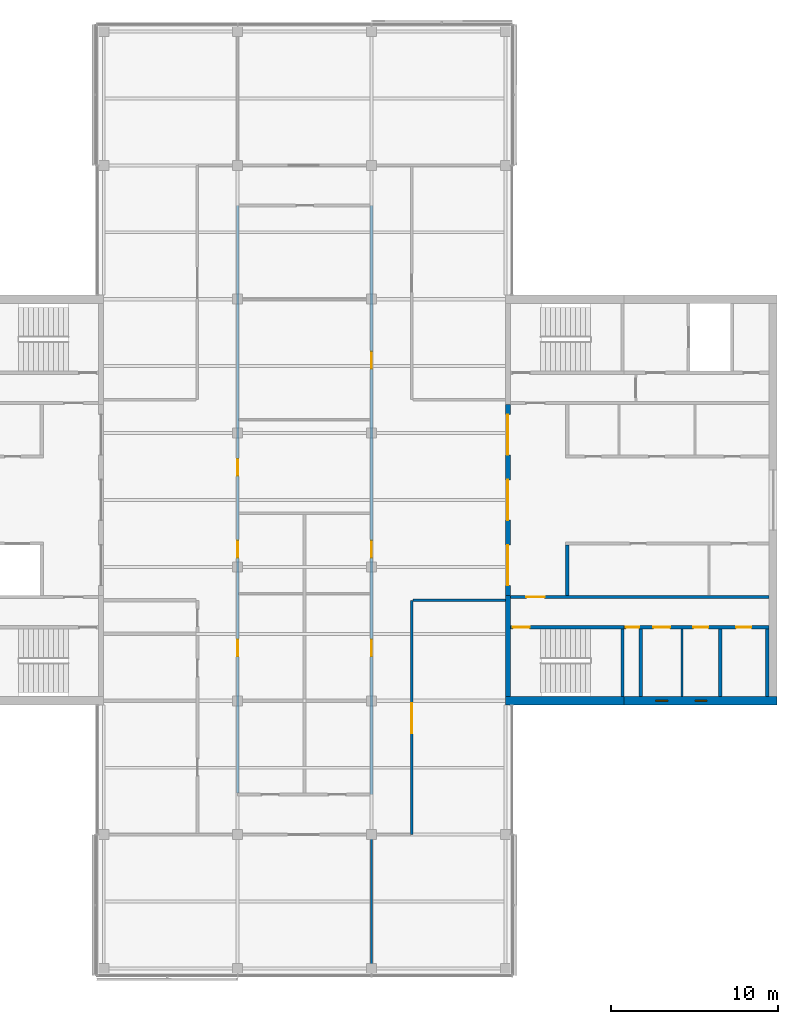
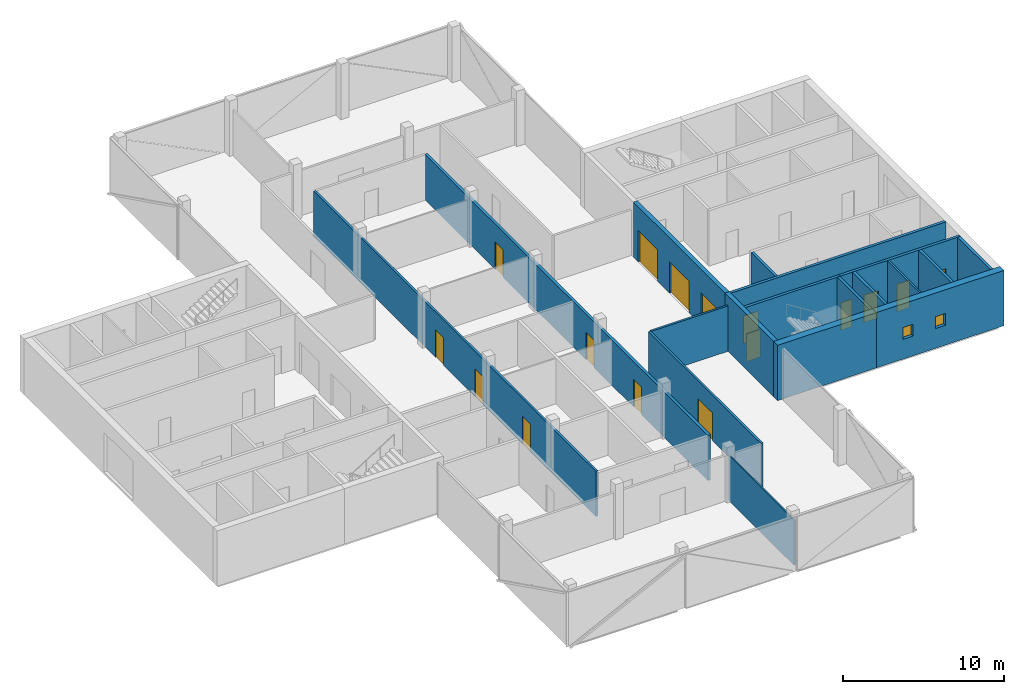
# One storey, part 10 of 15: 18 walls, 16 doors, 2 windows, 18 openings.
"""IFC4 building model written with IfcOpenShell, lengths in metres."""

from ifc_helpers import new_model, si_unit, direction, frame, frame_2d, origin, place, context, subcontext, project, spatial, rectangle, extrude, material, layer, layer_set, constituent, constituent_set, type_object, element, fill, save


model = new_model("IFC4")

# Units and contexts
model_context = context("Model", 3, precision=1e-05, world=origin(), true_north=direction((0.0, 1.0)))
body_context = subcontext(model_context, "Body", "Model", "MODEL_VIEW")
ifc_project = project(units=[si_unit("LENGTHUNIT", "METRE"), si_unit("AREAUNIT", "SQUARE_METRE"), si_unit("VOLUMEUNIT", "CUBIC_METRE"), si_unit("PLANEANGLEUNIT", "RADIAN"), si_unit("MASSUNIT", "GRAM", prefix="KILO")], contexts=[model_context])

# Site, building, storey
site_placement = place(None, origin())
site = spatial("IfcSite", under=ifc_project, at=site_placement, CompositionType="ELEMENT")
building_placement = place(site_placement, origin())
building = spatial("IfcBuilding", under=site, at=building_placement, Name="Crosswind Convention Tower", CompositionType="ELEMENT")
storey_placement = place(building_placement, frame((0.0, 0.0, 315.5)))
storey = spatial("IfcBuildingStorey", under=building, at=storey_placement, Name="L68", CompositionType="ELEMENT", Elevation=315.5)

# Wall
ifc_material_1 = material(Name="Concrete blockwork", Category="masonry")
ifc_layer_1 = layer(ifc_material_1, 0.199951171875)
ifc_layer_set_1 = layer_set([ifc_layer_1], Name="Blockwork partition wall 200")
wall_type_1 = type_object("IfcWallType", Name="Blockwork partition wall 200", PredefinedType="PARTITIONING", material=ifc_layer_set_1)
wall_1_placement = place(storey_placement, frame((145.10009765625, 88.25, 0.0), z_axis=(0.0, 0.0, 1.0), x_axis=(0.0, 1.0, 0.0)))
element("IfcWall", 1, at=wall_1_placement, inside=storey, type_object=wall_type_1, Name="Wall MRSE E L68", PredefinedType="PARTITIONING", context=body_context, shape_type="SweptSolid", body=[
    extrude(rectangle(XDim=4.050048828125, YDim=0.199951171875, at=frame_2d((2.02490234375, 0.0))), origin(), (0.0, 0.0, 1.0), 4.199951171875),
])

# Wall, openings, doors
ifc_layer_2 = layer(ifc_material_1, 0.199951171875)
ifc_layer_set_2 = layer_set([ifc_layer_2], Name="COMPARTMENT WALL 200 BLOCKWORK")
wall_type_2 = type_object("IfcWallType", Name="COMPARTMENT WALL 200 BLOCKWORK", PredefinedType="SOLIDWALL", material=ifc_layer_set_2)
wall_2_placement = place(storey_placement, frame((129.0, 82.39990234375, 0.0), z_axis=(0.0, 0.0, 1.0), x_axis=(0.0, 1.0, 0.0)))
wall_2 = element("IfcWall", 2, at=wall_2_placement, inside=storey, type_object=wall_type_2, Name="Compartment wall WT42", PredefinedType="SOLIDWALL", context=body_context, shape_type="SweptSolid", body=[
    extrude(rectangle(XDim=35.2001953125, YDim=0.199951171875, at=frame_2d((17.60009765625, 0.0))), origin(), (0.0, 0.0, 1.0), 3.44287109375),
])
opening_1_placement = place(wall_2_placement, frame((8.25, 0.0, 0.0)))
opening_1 = element("IfcOpeningElement", 3, at=opening_1_placement, cuts=wall_2, Name="Opening L68-61", PredefinedType="OPENING", context=body_context, shape_type="SweptSolid", body=[
    extrude(rectangle(XDim=1.0, YDim=2.10009765625, at=frame_2d((0.5, 1.050048828125))), frame((0.0, 0.10986328125, 0.0), z_axis=(0.0, -1.0, 0.0), x_axis=(1.0, 0.0, 0.0)), (0.0, 0.0, 1.0), 0.219970703125),
])
opening_2_placement = place(wall_2_placement, frame((14.14990234375, 0.0, 0.0)))
opening_2 = element("IfcOpeningElement", 4, at=opening_2_placement, cuts=wall_2, Name="Opening L68-63", PredefinedType="OPENING", context=body_context, shape_type="SweptSolid", body=[
    extrude(rectangle(XDim=1.0, YDim=2.10009765625, at=frame_2d((0.5, 1.050048828125))), frame((0.0, 0.10986328125, 0.0), z_axis=(0.0, -1.0, 0.0), x_axis=(1.0, 0.0, 0.0)), (0.0, 0.0, 1.0), 0.219970703125),
])
opening_3_placement = place(wall_2_placement, frame((25.449951171875, 0.0, 0.0)))
opening_3 = element("IfcOpeningElement", 5, at=opening_3_placement, cuts=wall_2, Name="Opening L68-65", PredefinedType="OPENING", context=body_context, shape_type="SweptSolid", body=[
    extrude(rectangle(XDim=1.0, YDim=2.10009765625, at=frame_2d((0.5, 1.050048828125))), frame((0.0, 0.10986328125, 0.0), z_axis=(0.0, -1.0, 0.0), x_axis=(1.0, 0.0, 0.0)), (0.0, 0.0, 1.0), 0.219970703125),
])
ifc_material_2 = material(Name="Timber fire door", Category="wood")
door_type_1 = type_object("IfcDoorType", Name="TENANCY ENTRANCE DOOR 1000X2100 FD30S", OperationType="NOTDEFINED", PredefinedType="DOOR", material=ifc_material_2)
door_1_placement = place(opening_1_placement, origin())
door_1 = element("IfcDoor", 6, at=door_1_placement, inside=storey, type_object=door_type_1, Name="Door L68-61", ObjectType="D41", OperationType="SINGLE_SWING_LEFT", OverallHeight=2.10009765625, OverallWidth=1.0, PredefinedType="DOOR", context=body_context, shape_type="SweptSolid", body=[
    extrude(rectangle(XDim=1.0, YDim=2.10009765625, at=frame_2d((0.5, 1.050048828125))), frame((0.0, 0.02490234375, 0.0), z_axis=(0.0, -1.0, 0.0), x_axis=(1.0, 0.0, 0.0)), (0.0, 0.0, 1.0), 0.050048828125),
])
fill(opening_1, door_1)
door_2_placement = place(opening_2_placement, origin())
door_2 = element("IfcDoor", 7, at=door_2_placement, inside=storey, type_object=door_type_1, Name="Door L68-63", ObjectType="D41", OperationType="SINGLE_SWING_LEFT", OverallHeight=2.10009765625, OverallWidth=1.0, PredefinedType="DOOR", context=body_context, shape_type="SweptSolid", body=[
    extrude(rectangle(XDim=1.0, YDim=2.10009765625, at=frame_2d((0.5, 1.050048828125))), frame((0.0, 0.02490234375, 0.0), z_axis=(0.0, -1.0, 0.0), x_axis=(1.0, 0.0, 0.0)), (0.0, 0.0, 1.0), 0.050048828125),
])
fill(opening_2, door_2)
door_3_placement = place(opening_3_placement, origin())
door_3 = element("IfcDoor", 8, at=door_3_placement, inside=storey, type_object=door_type_1, Name="Door L68-65", ObjectType="D41", OperationType="SINGLE_SWING_RIGHT", OverallHeight=2.10009765625, OverallWidth=1.0, PredefinedType="DOOR", context=body_context, shape_type="SweptSolid", body=[
    extrude(rectangle(XDim=1.0, YDim=2.10009765625, at=frame_2d((0.5, 1.050048828125))), frame((0.0, 0.02490234375, 0.0), z_axis=(0.0, -1.0, 0.0), x_axis=(1.0, 0.0, 0.0)), (0.0, 0.0, 1.0), 0.050048828125),
])
fill(opening_3, door_3)

ifc_material_3 = material(Name="Concrete C50/60", Category="concrete")
ifc_layer_3 = layer(ifc_material_3, 0.300048828125)
ifc_layer_set_3 = layer_set([ifc_layer_3], Name="Concrete C50/60")
wall_type_3 = type_object("IfcWallType", Name="Concrete inner core wall 300", PredefinedType="SHEAR", material=ifc_layer_set_3)
wall_3_placement = place(storey_placement, frame((137.14990234375, 94.300048828125, 0.0), z_axis=(0.0, 0.0, 1.0), x_axis=(0.0, 1.0, 0.0)))
wall_3 = element("IfcWall", 9, at=wall_3_placement, inside=storey, type_object=wall_type_3, Name="Wall SCR E L68", PredefinedType="SHEAR", context=body_context, shape_type="SweptSolid", body=[
    extrude(rectangle(XDim=11.39990234375, YDim=0.300048828125, at=frame_2d((5.699951171875, 0.0))), origin(), (0.0, 0.0, 1.0), 4.199951171875),
])
opening_4_placement = place(wall_3_placement, frame((0.60009765625, 0.0, 0.0)))
opening_4 = element("IfcOpeningElement", 10, at=opening_4_placement, cuts=wall_3, Name="Opening D100", PredefinedType="OPENING", context=body_context, shape_type="SweptSolid", body=[
    extrude(rectangle(XDim=2.39990234375, YDim=2.39990234375, at=frame_2d((1.199951171875, 1.199951171875))), frame((0.0, 0.159912109375, 0.0), z_axis=(0.0, -1.0, 0.0), x_axis=(1.0, 0.0, 0.0)), (0.0, 0.0, 1.0), 0.320068359375),
])
opening_5_placement = place(wall_3_placement, frame((4.5, 0.0, 0.0)))
opening_5 = element("IfcOpeningElement", 11, at=opening_5_placement, cuts=wall_3, Name="Opening D100", PredefinedType="OPENING", context=body_context, shape_type="SweptSolid", body=[
    extrude(rectangle(XDim=2.39990234375, YDim=2.39990234375, at=frame_2d((1.199951171875, 1.199951171875))), frame((0.0, 0.159912109375, 0.0), z_axis=(0.0, -1.0, 0.0), x_axis=(1.0, 0.0, 0.0)), (0.0, 0.0, 1.0), 0.320068359375),
])
opening_6_placement = place(wall_3_placement, frame((8.39990234375, 0.0, 0.0)))
opening_6 = element("IfcOpeningElement", 12, at=opening_6_placement, cuts=wall_3, Name="Opening D100", PredefinedType="OPENING", context=body_context, shape_type="SweptSolid", body=[
    extrude(rectangle(XDim=2.39990234375, YDim=2.39990234375, at=frame_2d((1.199951171875, 1.199951171875))), frame((0.0, 0.159912109375, 0.0), z_axis=(0.0, -1.0, 0.0), x_axis=(1.0, 0.0, 0.0)), (0.0, 0.0, 1.0), 0.320068359375),
])
ifc_material_4 = material(Name="Steel fire door with glazed vision panels", Category="steel")
door_type_2 = type_object("IfcDoorType", Name="Fire-rated double door 2400x2400", OperationType="DOUBLE_DOOR_SINGLE_SWING", PredefinedType="DOOR", material=ifc_material_4)
door_4_placement = place(opening_4_placement, origin())
door_4 = element("IfcDoor", 13, at=door_4_placement, inside=storey, type_object=door_type_2, Name="Lobby door 1 L68", ObjectType="D100", OperationType="DOUBLE_DOOR_SINGLE_SWING", OverallHeight=2.39990234375, OverallWidth=2.39990234375, PredefinedType="DOOR", context=body_context, shape_type="SweptSolid", body=[
    extrude(rectangle(XDim=2.39990234375, YDim=2.39990234375, at=frame_2d((1.199951171875, 1.199951171875))), frame((0.0, 0.02490234375, 0.0), z_axis=(0.0, -1.0, 0.0), x_axis=(1.0, 0.0, 0.0)), (0.0, 0.0, 1.0), 0.050048828125),
])
fill(opening_4, door_4)
door_5_placement = place(opening_5_placement, origin())
door_5 = element("IfcDoor", 14, at=door_5_placement, inside=storey, type_object=door_type_2, Name="Lobby door 2 L68", ObjectType="D100", OperationType="DOUBLE_DOOR_SINGLE_SWING", OverallHeight=2.39990234375, OverallWidth=2.39990234375, PredefinedType="DOOR", context=body_context, shape_type="SweptSolid", body=[
    extrude(rectangle(XDim=2.39990234375, YDim=2.39990234375, at=frame_2d((1.199951171875, 1.199951171875))), frame((0.0, 0.02490234375, 0.0), z_axis=(0.0, -1.0, 0.0), x_axis=(1.0, 0.0, 0.0)), (0.0, 0.0, 1.0), 0.050048828125),
])
fill(opening_5, door_5)
door_6_placement = place(opening_6_placement, origin())
door_6 = element("IfcDoor", 15, at=door_6_placement, inside=storey, type_object=door_type_2, Name="Lobby door 3 L68", ObjectType="D100", OperationType="DOUBLE_DOOR_SINGLE_SWING", OverallHeight=2.39990234375, OverallWidth=2.39990234375, PredefinedType="DOOR", context=body_context, shape_type="SweptSolid", body=[
    extrude(rectangle(XDim=2.39990234375, YDim=2.39990234375, at=frame_2d((1.199951171875, 1.199951171875))), frame((0.0, 0.02490234375, 0.0), z_axis=(0.0, -1.0, 0.0), x_axis=(1.0, 0.0, 0.0)), (0.0, 0.0, 1.0), 0.050048828125),
])
fill(opening_6, door_6)

# Walls
wall_4_placement = place(storey_placement, frame((137.14990234375, 88.25, 0.0), z_axis=(0.0, 0.0, 1.0), x_axis=(0.0, 1.0, 0.0)))
element("IfcWall", 16, at=wall_4_placement, inside=storey, type_object=wall_type_3, Name="Wall EM E L68", PredefinedType="SHEAR", context=body_context, shape_type="SweptSolid", body=[
    extrude(rectangle(XDim=6.050048828125, YDim=0.300048828125, at=frame_2d((3.02490234375, 0.0))), origin(), (0.0, 0.0, 1.0), 4.199951171875),
])
ifc_layer_4 = layer(ifc_material_3, 0.199951171875)
ifc_layer_set_4 = layer_set([ifc_layer_4], Name="Concrete C50/60")
wall_type_4 = type_object("IfcWallType", Name="Concrete shaft and stair wall 200", PredefinedType="SHEAR", material=ifc_layer_set_4)
wall_5_placement = place(storey_placement, frame((140.699951171875, 94.300048828125, 0.0), z_axis=(0.0, 0.0, 1.0), x_axis=(0.0, 1.0, 0.0)))
element("IfcWall", 17, at=wall_5_placement, inside=storey, type_object=wall_type_4, Name="Wall RMEND E L68", PredefinedType="SHEAR", context=body_context, shape_type="SweptSolid", body=[
    extrude(rectangle(XDim=3.0, YDim=0.199951171875, at=frame_2d((1.5, 0.0))), origin(), (0.0, 0.0, 1.0), 4.199951171875),
])

# Wall, opening, door
wall_6_placement = place(storey_placement, frame((137.300048828125, 94.199951171875, 0.0), z_axis=(0.0, 0.0, 1.0), x_axis=(1.0, 0.0, 0.0)))
wall_6 = element("IfcWall", 18, at=wall_6_placement, inside=storey, type_object=wall_type_4, Name="Wall HM E L68", PredefinedType="SHEAR", context=body_context, shape_type="SweptSolid", body=[
    extrude(rectangle(XDim=15.449951171875, YDim=0.199951171875, at=frame_2d((7.72509765625, 0.0))), origin(), (0.0, 0.0, 1.0), 4.199951171875),
])
opening_7_placement = place(wall_6_placement, frame((0.949951171875, 0.0, 0.0)))
opening_7 = element("IfcOpeningElement", 19, at=opening_7_placement, cuts=wall_6, Name="Opening D104", PredefinedType="OPENING", context=body_context, shape_type="SweptSolid", body=[
    extrude(rectangle(XDim=1.10009765625, YDim=2.10009765625, at=frame_2d((0.550048828125, 1.050048828125))), frame((0.0, 0.10986328125, 0.0), z_axis=(0.0, -1.0, 0.0), x_axis=(1.0, 0.0, 0.0)), (0.0, 0.0, 1.0), 0.219970703125),
])
ifc_material_5 = material(Name="Steel fire door", Category="steel")
door_type_3 = type_object("IfcDoorType", Name="Fire-rated single door 1100x2100", OperationType="NOTDEFINED", PredefinedType="DOOR", material=ifc_material_5)
door_7_placement = place(opening_7_placement, origin())
door_7 = element("IfcDoor", 20, at=door_7_placement, inside=storey, type_object=door_type_3, Name="Corridor door L68", ObjectType="D104", OperationType="SINGLE_SWING_LEFT", OverallHeight=2.10009765625, OverallWidth=1.10009765625, PredefinedType="DOOR", context=body_context, shape_type="SweptSolid", body=[
    extrude(rectangle(XDim=1.10009765625, YDim=2.10009765625, at=frame_2d((0.550048828125, 1.050048828125))), frame((0.0, 0.02490234375, 0.0), z_axis=(0.0, -1.0, 0.0), x_axis=(1.0, 0.0, 0.0)), (0.0, 0.0, 1.0), 0.050048828125),
])
fill(opening_7, door_7)

# Walls
for number, where, z_axis, x_axis, name in (
    (21, (144.0, 88.25, 0.0), (0.0, 0.0, 1.0), (0.0, 1.0, 0.0), "Wall MSE E L68"),
    (22, (149.85009765625, 88.25, 0.0), (0.0, 0.0, 1.0), (0.0, 1.0, 0.0), "Wall MFSW E L68"),
    (23, (152.64990234375, 88.25, 0.0), (0.0, 0.0, 1.0), (0.0, 1.0, 0.0), "Wall MFSE E L68"),
):
    element("IfcWall", number, at=place(storey_placement, frame(where, z_axis=z_axis, x_axis=x_axis)), inside=storey, type_object=wall_type_4, Name=name, PredefinedType="SHEAR", context=body_context, shape_type="SweptSolid", body=[
        extrude(rectangle(XDim=4.050048828125, YDim=0.199951171875, at=frame_2d((2.02490234375, 0.0))), origin(), (0.0, 0.0, 1.0), 4.199951171875),
    ])

# Wall, opening, door
wall_7_placement = place(storey_placement, frame((137.300048828125, 92.39990234375, 0.0), z_axis=(0.0, 0.0, 1.0), x_axis=(1.0, 0.0, 0.0)))
wall_7 = element("IfcWall", 24, at=wall_7_placement, inside=storey, type_object=wall_type_4, Name="Wall MCW E L68", PredefinedType="SHEAR", context=body_context, shape_type="SweptSolid", body=[
    extrude(rectangle(XDim=6.800048828125, YDim=0.199951171875, at=frame_2d((3.39990234375, 0.0))), origin(), (0.0, 0.0, 1.0), 4.199951171875),
])
opening_8_placement = place(wall_7_placement, frame((0.14990234375, 0.0, 0.0)))
opening_8 = element("IfcOpeningElement", 25, at=opening_8_placement, cuts=wall_7, Name="Opening D103", PredefinedType="OPENING", context=body_context, shape_type="SweptSolid", body=[
    extrude(rectangle(XDim=1.0, YDim=2.10009765625, at=frame_2d((0.5, 1.050048828125))), frame((0.0, 0.10986328125, 0.0), z_axis=(0.0, -1.0, 0.0), x_axis=(1.0, 0.0, 0.0)), (0.0, 0.0, 1.0), 0.219970703125),
])
door_type_4 = type_object("IfcDoorType", Name="Fire-rated single door 1000x2100", OperationType="NOTDEFINED", PredefinedType="DOOR", material=ifc_material_5)
door_8_placement = place(opening_8_placement, frame((1.0, 0.0, 0.0), z_axis=(0.0, 0.0, 1.0), x_axis=(-1.0, 0.0, 0.0)))
door_8 = element("IfcDoor", 26, at=door_8_placement, inside=storey, type_object=door_type_4, Name="Stair ST2 door L68", ObjectType="D103", OperationType="SINGLE_SWING_RIGHT", OverallHeight=2.10009765625, OverallWidth=1.0, PredefinedType="DOOR", context=body_context, shape_type="SweptSolid", body=[
    extrude(rectangle(XDim=1.0, YDim=2.10009765625, at=frame_2d((0.5, 1.050048828125))), frame((0.0, 0.02490234375, 0.0), z_axis=(0.0, -1.0, 0.0), x_axis=(1.0, 0.0, 0.0)), (0.0, 0.0, 1.0), 0.050048828125),
])
fill(opening_8, door_8)

# Wall, openings, doors
wall_8_placement = place(storey_placement, frame((144.10009765625, 92.39990234375, 0.0), z_axis=(0.0, 0.0, 1.0), x_axis=(1.0, 0.0, 0.0)))
wall_8 = element("IfcWall", 27, at=wall_8_placement, inside=storey, type_object=wall_type_4, Name="Wall MCX E L68", PredefinedType="SHEAR", context=body_context, shape_type="SweptSolid", body=[
    extrude(rectangle(XDim=8.64990234375, YDim=0.199951171875, at=frame_2d((4.324951171875, 0.0))), origin(), (0.0, 0.0, 1.0), 4.199951171875),
])
opening_9_placement = place(wall_8_placement, frame((0.10009765625, 0.0, 0.0)))
opening_9 = element("IfcOpeningElement", 28, at=opening_9_placement, cuts=wall_8, Name="Opening D105", PredefinedType="OPENING", context=body_context, shape_type="SweptSolid", body=[
    extrude(rectangle(XDim=0.800048828125, YDim=2.10009765625, at=frame_2d((0.39990234375, 1.050048828125))), frame((0.0, 0.10986328125, 0.0), z_axis=(0.0, -1.0, 0.0), x_axis=(1.0, 0.0, 0.0)), (0.0, 0.0, 1.0), 0.219970703125),
])
opening_10_placement = place(wall_8_placement, frame((1.751708984375, 0.0, 0.0)))
opening_10 = element("IfcOpeningElement", 29, at=opening_10_placement, cuts=wall_8, Name="Opening D103", PredefinedType="OPENING", context=body_context, shape_type="SweptSolid", body=[
    extrude(rectangle(XDim=1.0, YDim=2.10009765625, at=frame_2d((0.5, 1.050048828125))), frame((0.0, 0.10986328125, 0.0), z_axis=(0.0, -1.0, 0.0), x_axis=(1.0, 0.0, 0.0)), (0.0, 0.0, 1.0), 0.219970703125),
])
opening_11_placement = place(wall_8_placement, frame((4.13916015625, 0.0, 0.0)))
opening_11 = element("IfcOpeningElement", 30, at=opening_11_placement, cuts=wall_8, Name="Opening D106", PredefinedType="OPENING", context=body_context, shape_type="SweptSolid", body=[
    extrude(rectangle(XDim=0.89990234375, YDim=2.10009765625, at=frame_2d((0.449951171875, 1.050048828125))), frame((0.0, 0.10986328125, 0.0), z_axis=(0.0, -1.0, 0.0), x_axis=(1.0, 0.0, 0.0)), (0.0, 0.0, 1.0), 0.219970703125),
])
opening_12_placement = place(wall_8_placement, frame((6.699951171875, 0.0, 0.0)))
opening_12 = element("IfcOpeningElement", 31, at=opening_12_placement, cuts=wall_8, Name="Opening D106", PredefinedType="OPENING", context=body_context, shape_type="SweptSolid", body=[
    extrude(rectangle(XDim=0.89990234375, YDim=2.10009765625, at=frame_2d((0.449951171875, 1.050048828125))), frame((0.0, 0.10986328125, 0.0), z_axis=(0.0, -1.0, 0.0), x_axis=(1.0, 0.0, 0.0)), (0.0, 0.0, 1.0), 0.219970703125),
])
door_9_placement = place(opening_10_placement, frame((1.0, 0.0, 0.0), z_axis=(0.0, 0.0, 1.0), x_axis=(-1.0, 0.0, 0.0)))
door_9 = element("IfcDoor", 32, at=door_9_placement, inside=storey, type_object=door_type_4, Name="Door to accessible wc L68", ObjectType="D103", OperationType="SINGLE_SWING_LEFT", OverallHeight=2.10009765625, OverallWidth=1.0, PredefinedType="DOOR", context=body_context, shape_type="SweptSolid", body=[
    extrude(rectangle(XDim=1.0, YDim=2.10009765625, at=frame_2d((0.5, 1.050048828125))), frame((0.0, 0.02490234375, 0.0), z_axis=(0.0, -1.0, 0.0), x_axis=(1.0, 0.0, 0.0)), (0.0, 0.0, 1.0), 0.050048828125),
])
fill(opening_10, door_9)
door_type_5 = type_object("IfcDoorType", Name="Riser access door 800x2100", OperationType="NOTDEFINED", PredefinedType="DOOR", material=ifc_material_5)
door_10_placement = place(opening_9_placement, frame((0.800048828125, 0.0, 0.0), z_axis=(0.0, 0.0, 1.0), x_axis=(-1.0, 0.0, 0.0)))
door_10 = element("IfcDoor", 33, at=door_10_placement, inside=storey, type_object=door_type_5, Name="Riser door L68", ObjectType="D105", OperationType="SINGLE_SWING_LEFT", OverallHeight=2.10009765625, OverallWidth=0.800048828125, PredefinedType="DOOR", context=body_context, shape_type="SweptSolid", body=[
    extrude(rectangle(XDim=0.800048828125, YDim=2.10009765625, at=frame_2d((0.39990234375, 1.050048828125))), frame((0.0, 0.02490234375, 0.0), z_axis=(0.0, -1.0, 0.0), x_axis=(1.0, 0.0, 0.0)), (0.0, 0.0, 1.0), 0.050048828125),
])
fill(opening_9, door_10)
ifc_material_6 = material(Name="Timber door", Category="wood")
door_type_6 = type_object("IfcDoorType", Name="Single leaf door 900x2100", OperationType="NOTDEFINED", PredefinedType="DOOR", material=ifc_material_6)
door_11_placement = place(opening_11_placement, frame((0.89990234375, 0.0, 0.0), z_axis=(0.0, 0.0, 1.0), x_axis=(-1.0, 0.0, 0.0)))
door_11 = element("IfcDoor", 34, at=door_11_placement, inside=storey, type_object=door_type_6, Name="Door to wc L68", ObjectType="D106", OperationType="SINGLE_SWING_LEFT", OverallHeight=2.10009765625, OverallWidth=0.89990234375, PredefinedType="DOOR", context=body_context, shape_type="SweptSolid", body=[
    extrude(rectangle(XDim=0.89990234375, YDim=2.10009765625, at=frame_2d((0.449951171875, 1.050048828125))), frame((0.0, 0.02490234375, 0.0), z_axis=(0.0, -1.0, 0.0), x_axis=(1.0, 0.0, 0.0)), (0.0, 0.0, 1.0), 0.050048828125),
])
fill(opening_11, door_11)
door_12_placement = place(opening_12_placement, frame((0.89990234375, 0.0, 0.0), z_axis=(0.0, 0.0, 1.0), x_axis=(-1.0, 0.0, 0.0)))
door_12 = element("IfcDoor", 35, at=door_12_placement, inside=storey, type_object=door_type_6, Name="Door to wc L68", ObjectType="D106", OperationType="SINGLE_SWING_LEFT", OverallHeight=2.10009765625, OverallWidth=0.89990234375, PredefinedType="DOOR", context=body_context, shape_type="SweptSolid", body=[
    extrude(rectangle(XDim=0.89990234375, YDim=2.10009765625, at=frame_2d((0.449951171875, 1.050048828125))), frame((0.0, 0.02490234375, 0.0), z_axis=(0.0, -1.0, 0.0), x_axis=(1.0, 0.0, 0.0)), (0.0, 0.0, 1.0), 0.050048828125),
])
fill(opening_12, door_12)

# Walls
ifc_material_7 = material(Name="Gypsum plasterboard partition", Category="gypsum")
ifc_layer_5 = layer(ifc_material_7, 0.125)
ifc_layer_set_5 = layer_set([ifc_layer_5], Name="Drywall partition wall 125")
wall_type_5 = type_object("IfcWallType", Name="Drywall partition wall 125", PredefinedType="PARTITIONING", material=ifc_layer_set_5)
wall_9_placement = place(storey_placement, frame((147.56591796875, 88.25, 0.0), z_axis=(0.0, 0.0, 1.0), x_axis=(0.0, 1.0, 0.0)))
element("IfcWall", 36, at=wall_9_placement, inside=storey, type_object=wall_type_5, Name="Wall MWP1 E L68", PredefinedType="PARTITIONING", context=body_context, shape_type="SweptSolid", body=[
    extrude(rectangle(XDim=4.050048828125, YDim=0.125, at=frame_2d((2.02490234375, 0.0))), origin(), (0.0, 0.0, 1.0), 4.199951171875),
])
ifc_material_8 = material(Name="Plasterboard partition", Category="gypsum")
ifc_layer_6 = layer(ifc_material_8, 0.10009765625)
ifc_layer_set_6 = layer_set([ifc_layer_6], Name="PARTITION 100 METAL STUD")
wall_type_6 = type_object("IfcWallType", Name="PARTITION 100 METAL STUD", PredefinedType="PARTITIONING", material=ifc_layer_set_6)
wall_10_placement = place(storey_placement, frame((129.0, 71.780029296875, 0.0), z_axis=(0.0, 0.0, 1.0), x_axis=(0.0, 1.0, 0.0)))
element("IfcWall", 37, at=wall_10_placement, inside=storey, type_object=wall_type_6, Name="Partition wall WT40", PredefinedType="PARTITIONING", context=body_context, shape_type="SweptSolid", body=[
    extrude(rectangle(XDim=8.14501953125, YDim=0.10009765625, at=frame_2d((4.072509765625, 0.0))), origin(), (0.0, 0.0, 1.0), 3.44287109375),
])

# Wall, openings, doors
ifc_material_9 = material(Name="Fire-board partition with mineral wool", Category="gypsum")
ifc_layer_7 = layer(ifc_material_9, 0.14990234375)
ifc_layer_set_7 = layer_set([ifc_layer_7], Name="TENANCY WALL 150 TWO-HOUR BOARD")
wall_type_7 = type_object("IfcWallType", Name="TENANCY WALL 150 TWO-HOUR BOARD", PredefinedType="PARTITIONING", material=ifc_layer_set_7)
wall_11_placement = place(storey_placement, frame((121.0, 82.5, 0.0), z_axis=(0.0, 0.0, 1.0), x_axis=(0.0, 1.0, 0.0)))
wall_11 = element("IfcWall", 38, at=wall_11_placement, inside=storey, type_object=wall_type_7, Name="Tenancy wall WT41", PredefinedType="PARTITIONING", context=body_context, shape_type="SweptSolid", body=[
    extrude(rectangle(XDim=35.10009765625, YDim=0.14990234375, at=frame_2d((17.550048828125, 0.0))), origin(), (0.0, 0.0, 1.0), 3.44287109375),
])
opening_13_placement = place(wall_11_placement, frame((8.14990234375, 0.0, 0.0)))
opening_13 = element("IfcOpeningElement", 39, at=opening_13_placement, cuts=wall_11, Name="Opening L68-60", PredefinedType="OPENING", context=body_context, shape_type="SweptSolid", body=[
    extrude(rectangle(XDim=1.0, YDim=2.10009765625, at=frame_2d((0.5, 1.050048828125))), frame((0.0, 0.0849609375, 0.0), z_axis=(0.0, -1.0, 0.0), x_axis=(1.0, 0.0, 0.0)), (0.0, 0.0, 1.0), 0.169921875),
])
opening_14_placement = place(wall_11_placement, frame((14.050048828125, 0.0, 0.0)))
opening_14 = element("IfcOpeningElement", 40, at=opening_14_placement, cuts=wall_11, Name="Opening L68-62", PredefinedType="OPENING", context=body_context, shape_type="SweptSolid", body=[
    extrude(rectangle(XDim=1.0, YDim=2.10009765625, at=frame_2d((0.5, 1.050048828125))), frame((0.0, 0.0849609375, 0.0), z_axis=(0.0, -1.0, 0.0), x_axis=(1.0, 0.0, 0.0)), (0.0, 0.0, 1.0), 0.169921875),
])
opening_15_placement = place(wall_11_placement, frame((18.949951171875, 0.0, 0.0)))
opening_15 = element("IfcOpeningElement", 41, at=opening_15_placement, cuts=wall_11, Name="Opening L68-64", PredefinedType="OPENING", context=body_context, shape_type="SweptSolid", body=[
    extrude(rectangle(XDim=1.0, YDim=2.10009765625, at=frame_2d((0.5, 1.050048828125))), frame((0.0, 0.0849609375, 0.0), z_axis=(0.0, -1.0, 0.0), x_axis=(1.0, 0.0, 0.0)), (0.0, 0.0, 1.0), 0.169921875),
])
door_13_placement = place(opening_13_placement, frame((1.0, 0.0, 0.0), z_axis=(0.0, 0.0, 1.0), x_axis=(-1.0, 0.0, 0.0)))
door_13 = element("IfcDoor", 42, at=door_13_placement, inside=storey, type_object=door_type_1, Name="Door L68-60", ObjectType="D41", OperationType="SINGLE_SWING_RIGHT", OverallHeight=2.10009765625, OverallWidth=1.0, PredefinedType="DOOR", context=body_context, shape_type="SweptSolid", body=[
    extrude(rectangle(XDim=1.0, YDim=2.10009765625, at=frame_2d((0.5, 1.050048828125))), frame((0.0, 0.02490234375, 0.0), z_axis=(0.0, -1.0, 0.0), x_axis=(1.0, 0.0, 0.0)), (0.0, 0.0, 1.0), 0.050048828125),
])
fill(opening_13, door_13)
door_14_placement = place(opening_14_placement, frame((1.0, 0.0, 0.0), z_axis=(0.0, 0.0, 1.0), x_axis=(-1.0, 0.0, 0.0)))
door_14 = element("IfcDoor", 43, at=door_14_placement, inside=storey, type_object=door_type_1, Name="Door L68-62", ObjectType="D41", OperationType="SINGLE_SWING_RIGHT", OverallHeight=2.10009765625, OverallWidth=1.0, PredefinedType="DOOR", context=body_context, shape_type="SweptSolid", body=[
    extrude(rectangle(XDim=1.0, YDim=2.10009765625, at=frame_2d((0.5, 1.050048828125))), frame((0.0, 0.02490234375, 0.0), z_axis=(0.0, -1.0, 0.0), x_axis=(1.0, 0.0, 0.0)), (0.0, 0.0, 1.0), 0.050048828125),
])
fill(opening_14, door_14)
door_15_placement = place(opening_15_placement, frame((1.0, 0.0, 0.0), z_axis=(0.0, 0.0, 1.0), x_axis=(-1.0, 0.0, 0.0)))
door_15 = element("IfcDoor", 44, at=door_15_placement, inside=storey, type_object=door_type_1, Name="Door L68-64", ObjectType="D41", OperationType="SINGLE_SWING_LEFT", OverallHeight=2.10009765625, OverallWidth=1.0, PredefinedType="DOOR", context=body_context, shape_type="SweptSolid", body=[
    extrude(rectangle(XDim=1.0, YDim=2.10009765625, at=frame_2d((0.5, 1.050048828125))), frame((0.0, 0.02490234375, 0.0), z_axis=(0.0, -1.0, 0.0), x_axis=(1.0, 0.0, 0.0)), (0.0, 0.0, 1.0), 0.050048828125),
])
fill(opening_15, door_15)

# Wall, opening, door
wall_12_placement = place(storey_placement, frame((131.39990234375, 80.0, 0.0), z_axis=(0.0, 0.0, 1.0), x_axis=(0.0, 1.0, 0.0)))
wall_12 = element("IfcWall", 45, at=wall_12_placement, inside=storey, type_object=wall_type_7, Name="Tenancy wall WT41", PredefinedType="PARTITIONING", context=body_context, shape_type="SweptSolid", body=[
    extrude(rectangle(XDim=14.0, YDim=0.14990234375, at=frame_2d((7.0, 0.0))), origin(), (0.0, 0.0, 1.0), 3.44287109375),
])
opening_16_placement = place(wall_12_placement, frame((6.050048828125, 0.0, 0.0)))
opening_16 = element("IfcOpeningElement", 46, at=opening_16_placement, cuts=wall_12, Name="Opening L68-51", PredefinedType="OPENING", context=body_context, shape_type="SweptSolid", body=[
    extrude(rectangle(XDim=1.800048828125, YDim=2.10009765625, at=frame_2d((0.89990234375, 1.050048828125))), frame((0.0, 0.0849609375, 0.0), z_axis=(0.0, -1.0, 0.0), x_axis=(1.0, 0.0, 0.0)), (0.0, 0.0, 1.0), 0.169921875),
])
door_type_7 = type_object("IfcDoorType", Name="TENANCY ENTRANCE DOUBLE DOOR 1800X2100 FD30S", OperationType="DOUBLE_DOOR_SINGLE_SWING", PredefinedType="DOOR", material=ifc_material_2)
door_16_placement = place(opening_16_placement, frame((1.800048828125, 0.0, 0.0), z_axis=(0.0, 0.0, 1.0), x_axis=(-1.0, 0.0, 0.0)))
door_16 = element("IfcDoor", 47, at=door_16_placement, inside=storey, type_object=door_type_7, Name="Door L68-51", ObjectType="D42", OperationType="DOUBLE_DOOR_SINGLE_SWING", OverallHeight=2.10009765625, OverallWidth=1.800048828125, PredefinedType="DOOR", context=body_context, shape_type="SweptSolid", body=[
    extrude(rectangle(XDim=1.800048828125, YDim=2.10009765625, at=frame_2d((0.89990234375, 1.050048828125))), frame((0.0, 0.02490234375, 0.0), z_axis=(0.0, -1.0, 0.0), x_axis=(1.0, 0.0, 0.0)), (0.0, 0.0, 1.0), 0.050048828125),
])
fill(opening_16, door_16)

# Walls
wall_13_placement = place(storey_placement, frame((131.47509765625, 94.0, 0.0), z_axis=(0.0, 0.0, 1.0), x_axis=(1.0, 0.0, 0.0)))
element("IfcWall", 48, at=wall_13_placement, inside=storey, type_object=wall_type_7, Name="Tenancy wall WT41", PredefinedType="PARTITIONING", context=body_context, shape_type="SweptSolid", body=[
    extrude(rectangle(XDim=5.52490234375, YDim=0.14990234375, at=frame_2d((2.762451171875, 0.0))), origin(), (0.0, 0.0, 1.0), 3.44287109375),
])
ifc_material_10 = material(Name="Concrete C60/75", Category="concrete")
ifc_constituent_1 = constituent(ifc_material_10, Name="Structure")
ifc_material_11 = material(Name="Terracotta rainscreen", Category="ceramic")
ifc_constituent_2 = constituent(ifc_material_11, Name="Facing")
ifc_constituent_set = constituent_set(constituents=[ifc_constituent_1, ifc_constituent_2], Name="Concrete C60/75, Terracotta rainscreen")
wall_type_8 = type_object("IfcWallType", Name="Terracotta rainscreen on concrete core wall 500", PredefinedType="SHEAR", material=ifc_constituent_set)
wall_14_placement = place(storey_placement, frame((137.0, 88.0, 0.0), z_axis=(0.0, 0.0, 1.0), x_axis=(1.0, 0.0, 0.0)))
element("IfcWall", 49, at=wall_14_placement, inside=storey, type_object=wall_type_8, Name="Wall S1 E L68", PredefinedType="SHEAR", context=body_context, shape_type="SweptSolid", body=[
    extrude(rectangle(XDim=7.10009765625, YDim=0.5, at=frame_2d((3.550048828125, 0.0))), origin(), (0.0, 0.0, 1.0), 4.199951171875),
])

# Wall, openings, windows
wall_15_placement = place(storey_placement, frame((144.10009765625, 88.0, 0.0), z_axis=(0.0, 0.0, 1.0), x_axis=(1.0, 0.0, 0.0)))
wall_15 = element("IfcWall", 50, at=wall_15_placement, inside=storey, type_object=wall_type_8, Name="Wall S2 E L68", PredefinedType="SHEAR", context=body_context, shape_type="SweptSolid", body=[
    extrude(rectangle(XDim=9.14990234375, YDim=0.5, at=frame_2d((4.574951171875, 0.0))), origin(), (0.0, 0.0, 1.0), 4.199951171875),
])
opening_17_placement = place(wall_15_placement, frame((1.90185546875, 0.0, 1.5)))
opening_17 = element("IfcOpeningElement", 51, at=opening_17_placement, cuts=wall_15, Name="Opening W2", PredefinedType="OPENING", context=body_context, shape_type="SweptSolid", body=[
    extrude(rectangle(XDim=0.699951171875, YDim=0.89990234375, at=frame_2d((0.35009765625, 0.449951171875))), frame((0.0, 0.260009765625, 0.0), z_axis=(0.0, -1.0, 0.0), x_axis=(1.0, 0.0, 0.0)), (0.0, 0.0, 1.0), 0.52001953125),
])
opening_18_placement = place(wall_15_placement, frame((4.2392578125, 0.0, 1.5)))
opening_18 = element("IfcOpeningElement", 52, at=opening_18_placement, cuts=wall_15, Name="Opening W2", PredefinedType="OPENING", context=body_context, shape_type="SweptSolid", body=[
    extrude(rectangle(XDim=0.699951171875, YDim=0.89990234375, at=frame_2d((0.35009765625, 0.449951171875))), frame((0.0, 0.260009765625, 0.0), z_axis=(0.0, -1.0, 0.0), x_axis=(1.0, 0.0, 0.0)), (0.0, 0.0, 1.0), 0.52001953125),
])
ifc_material_12 = material(Name="Obscure glass in aluminium frame", Category="aluminium")
window_type = type_object("IfcWindowType", Name="WC window 700x900", PartitioningType="SINGLE_PANEL", PredefinedType="WINDOW", material=ifc_material_12)
window_1_placement = place(opening_17_placement, origin())
window_1 = element("IfcWindow", 53, at=window_1_placement, inside=storey, type_object=window_type, Name="WC window L68", ObjectType="W2", OverallHeight=0.89990234375, OverallWidth=0.699951171875, PartitioningType="SINGLE_PANEL", PredefinedType="WINDOW", context=body_context, shape_type="SweptSolid", body=[
    extrude(rectangle(XDim=0.699951171875, YDim=0.89990234375, at=frame_2d((0.35009765625, 0.449951171875))), frame((0.0, 0.030029296875, 0.0), z_axis=(0.0, -1.0, 0.0), x_axis=(1.0, 0.0, 0.0)), (0.0, 0.0, 1.0), 0.06005859375),
])
fill(opening_17, window_1)
window_2_placement = place(opening_18_placement, origin())
window_2 = element("IfcWindow", 54, at=window_2_placement, inside=storey, type_object=window_type, Name="WC window L68", ObjectType="W2", OverallHeight=0.89990234375, OverallWidth=0.699951171875, PartitioningType="SINGLE_PANEL", PredefinedType="WINDOW", context=body_context, shape_type="SweptSolid", body=[
    extrude(rectangle(XDim=0.699951171875, YDim=0.89990234375, at=frame_2d((0.35009765625, 0.449951171875))), frame((0.0, 0.030029296875, 0.0), z_axis=(0.0, -1.0, 0.0), x_axis=(1.0, 0.0, 0.0)), (0.0, 0.0, 1.0), 0.06005859375),
])
fill(opening_18, window_2)

save(model, "model.ifc")
